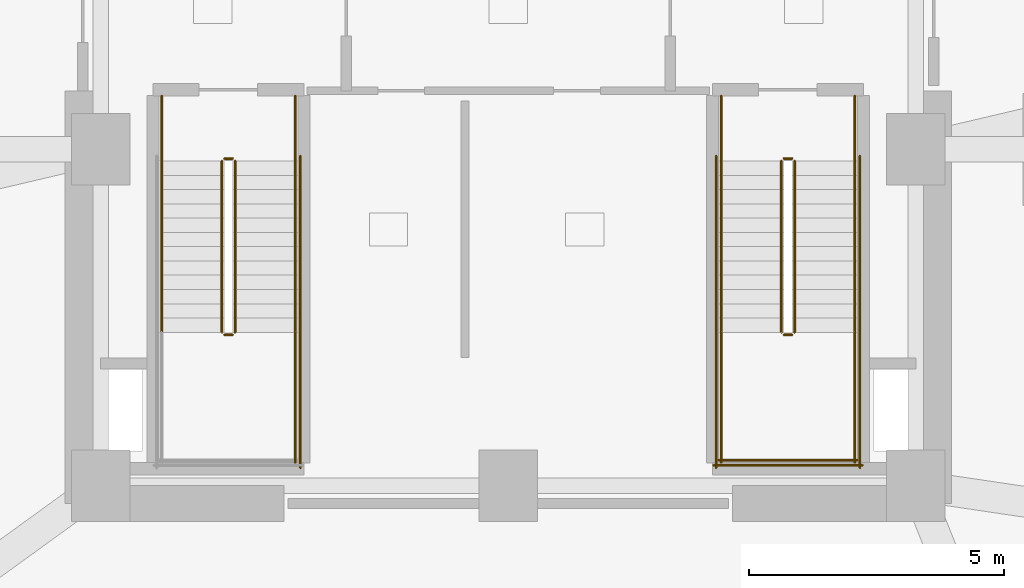
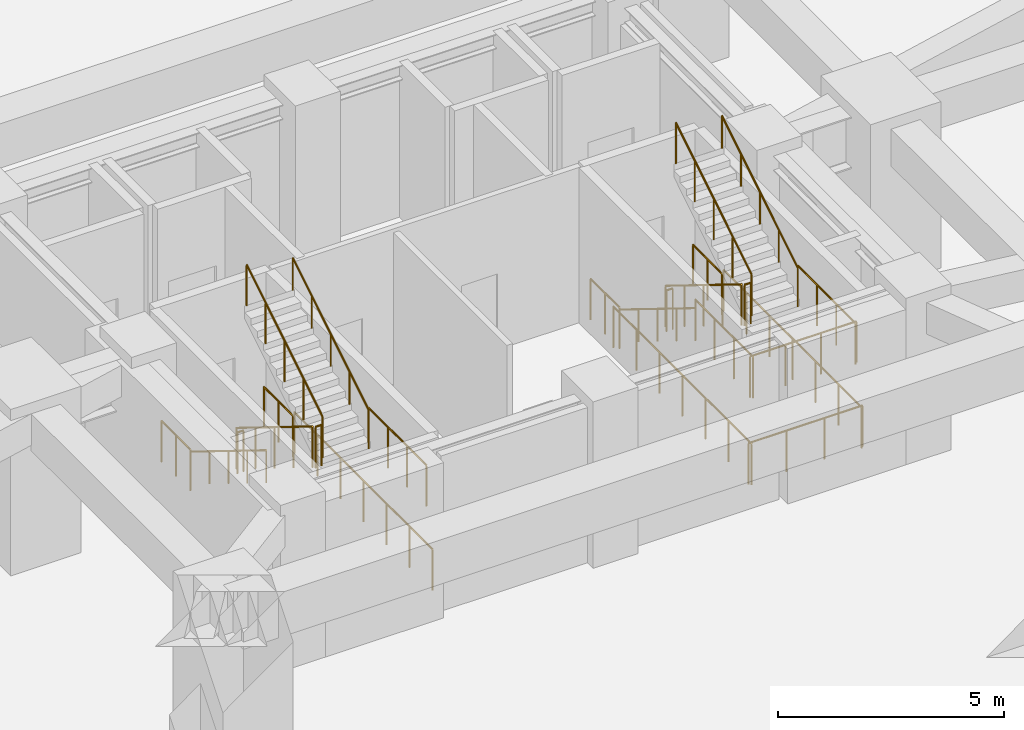
# One storey, part 6 of 9: 24 railings.
"""IFC4 building model written with IfcOpenShell, lengths in metres."""

from ifc_helpers import new_model, si_unit, direction, frame, origin, origin_2d, place, context, subcontext, project, spatial, circle, extrude, material, layer, layer_set, type_object, element, save


model = new_model("IFC4")

# Units and contexts
model_context = context("Model", 3, precision=1e-05, world=origin(), true_north=direction((0.0, 1.0)))
body_context = subcontext(model_context, "Body", "Model", "MODEL_VIEW")
ifc_project = project(units=[si_unit("LENGTHUNIT", "METRE"), si_unit("AREAUNIT", "SQUARE_METRE"), si_unit("VOLUMEUNIT", "CUBIC_METRE"), si_unit("PLANEANGLEUNIT", "RADIAN"), si_unit("MASSUNIT", "GRAM", prefix="KILO")], contexts=[model_context])

# Site, building, storey
site_placement = place(None, origin())
site = spatial("IfcSite", under=ifc_project, at=site_placement, CompositionType="ELEMENT")
building_placement = place(site_placement, origin())
building = spatial("IfcBuilding", under=site, at=building_placement, Name="Ndelora Gate Hotel", CompositionType="ELEMENT")
storey_placement = place(building_placement, frame((0.0, 0.0, -9.0)))
storey = spatial("IfcBuildingStorey", under=building, at=storey_placement, Name="B02", CompositionType="ELEMENT", Elevation=-9.0)

# Railings
ifc_material_1 = material(Name="Painted Galvanized Steel Balustrade", Category="steel")
ifc_layer_1 = layer(ifc_material_1, 0.06005859375)
ifc_layer_set_1 = layer_set([ifc_layer_1], Name="Painted Galvanized Steel Balustrade")
railing_type_1 = type_object("IfcRailingType", Name="RL-STAIR-GD", PredefinedType="GUARDRAIL", material=ifc_layer_set_1)
railing_1_placement = place(storey_placement, frame((-5.6201171875, -0.22998046875, 0.173095703125)))
element("IfcRailing", 1, at=railing_1_placement, inside=storey, type_object=railing_type_1, Name="B02 ST4 stair guard 1", PredefinedType="GUARDRAIL", context=body_context, shape_type="SweptSolid", body=[
    extrude(circle(Radius=0.02392578125, at=origin_2d()), frame((0.0, 0.0, 1.10595703125), z_axis=(0.0, -0.850623216509, 0.525775754039), x_axis=(1.0, 0.0, 0.0)), (0.0, 0.0, 1.0), 3.9501953125),
    extrude(circle(Radius=0.02099609375, at=origin_2d()), origin(), (0.0, 0.0, 1.0), 1.081787109375),
    extrude(circle(Radius=0.02099609375, at=origin_2d()), frame((0.0, -0.840087890625, 0.519287109375)), (0.0, 0.0, 1.0), 1.081787109375),
    extrude(circle(Radius=0.02099609375, at=origin_2d()), frame((0.0, -1.68017578125, 1.03857421875)), (0.0, 0.0, 1.0), 1.081787109375),
    extrude(circle(Radius=0.02099609375, at=origin_2d()), frame((0.0, -2.52001953125, 1.5576171875)), (0.0, 0.0, 1.0), 1.081787109375),
    extrude(circle(Radius=0.02099609375, at=origin_2d()), frame((0.0, -3.360107421875, 2.076904296875)), (0.0, 0.0, 1.0), 1.081787109375),
])
railing_2_placement = place(storey_placement, frame((-5.570068359375, -3.639892578125, 2.25)))
element("IfcRailing", 2, at=railing_2_placement, inside=storey, type_object=railing_type_1, Name="B02 ST4 stair guard 2", PredefinedType="GUARDRAIL", context=body_context, shape_type="SweptSolid", body=[
    extrude(circle(Radius=0.02392578125, at=origin_2d()), frame((0.0, 0.0, 1.10595703125), z_axis=(1.0, 0.0, 0.0), x_axis=(0.0, 1.0, 0.0)), (0.0, 0.0, 1.0), 0.16015625),
    extrude(circle(Radius=0.02099609375, at=origin_2d()), origin(), (0.0, 0.0, 1.0), 1.081787109375),
    extrude(circle(Radius=0.02099609375, at=origin_2d()), frame((0.16015625, 0.0, 0.0)), (0.0, 0.0, 1.0), 1.081787109375),
])
railing_3_placement = place(storey_placement, frame((-4.179931640625, -3.590087890625, 2.25)))
element("IfcRailing", 3, at=railing_3_placement, inside=storey, type_object=railing_type_1, Name="B02 ST4 stair guard 4", PredefinedType="GUARDRAIL", context=body_context, shape_type="SweptSolid", body=[
    extrude(circle(Radius=0.02392578125, at=origin_2d()), frame((0.0, 0.0, 1.10595703125), z_axis=(0.0, -1.0, 0.0), x_axis=(1.0, 0.0, 0.0)), (0.0, 0.0, 1.0), 2.559814453125),
    extrude(circle(Radius=0.02099609375, at=origin_2d()), origin(), (0.0, 0.0, 1.0), 1.081787109375),
    extrude(circle(Radius=0.02099609375, at=origin_2d()), frame((0.0, -0.853271484375, 0.0)), (0.0, 0.0, 1.0), 1.081787109375),
    extrude(circle(Radius=0.02099609375, at=origin_2d()), frame((0.0, -1.70654296875, 0.0)), (0.0, 0.0, 1.0), 1.081787109375),
    extrude(circle(Radius=0.02099609375, at=origin_2d()), frame((0.0, -2.559814453125, 0.0)), (0.0, 0.0, 1.0), 1.081787109375),
])
railing_4_placement = place(storey_placement, frame((-5.360107421875, -3.590087890625, 2.423095703125)))
element("IfcRailing", 4, at=railing_4_placement, inside=storey, type_object=railing_type_1, Name="B02 ST4 stair guard 6", PredefinedType="GUARDRAIL", context=body_context, shape_type="SweptSolid", body=[
    extrude(circle(Radius=0.02392578125, at=origin_2d()), frame((0.0, 0.0, 1.10595703125), z_axis=(0.0, 0.850623216509, 0.525775754039), x_axis=(-1.0, 0.0, 0.0)), (0.0, 0.0, 1.0), 3.9501953125),
    extrude(circle(Radius=0.02099609375, at=origin_2d()), origin(), (0.0, 0.0, 1.0), 1.081787109375),
    extrude(circle(Radius=0.02099609375, at=origin_2d()), frame((0.0, 0.840087890625, 0.519287109375)), (0.0, 0.0, 1.0), 1.081787109375),
    extrude(circle(Radius=0.02099609375, at=origin_2d()), frame((0.0, 1.68017578125, 1.03857421875)), (0.0, 0.0, 1.0), 1.081787109375),
    extrude(circle(Radius=0.02099609375, at=origin_2d()), frame((0.0, 2.52001953125, 1.5576171875)), (0.0, 0.0, 1.0), 1.081787109375),
    extrude(circle(Radius=0.02099609375, at=origin_2d()), frame((0.0, 3.360107421875, 2.076904296875)), (0.0, 0.0, 1.0), 1.081787109375),
])
railing_5_placement = place(storey_placement, frame((-5.570068359375, -0.179931640625, 0.0)))
element("IfcRailing", 5, at=railing_5_placement, inside=storey, type_object=railing_type_1, Name="B02 ST4 stair guard 7", PredefinedType="GUARDRAIL", context=body_context, shape_type="SweptSolid", body=[
    extrude(circle(Radius=0.02392578125, at=origin_2d()), frame((0.0, 0.0, 1.10595703125), z_axis=(1.0, 0.0, 0.0), x_axis=(0.0, 1.0, 0.0)), (0.0, 0.0, 1.0), 0.16015625),
    extrude(circle(Radius=0.02099609375, at=origin_2d()), origin(), (0.0, 0.0, 1.0), 1.081787109375),
    extrude(circle(Radius=0.02099609375, at=origin_2d()), frame((0.16015625, 0.0, 0.0)), (0.0, 0.0, 1.0), 1.081787109375),
])
for number, where, name in (
    (6, (-6.800048828125, 1.050048828125, 0.0), "B02 ST4 stair guard 8"),
    (7, (-4.179931640625, 1.050048828125, 0.0), "B02 ST4 stair guard 9"),
):
    element("IfcRailing", number, at=place(storey_placement, frame(where)), inside=storey, type_object=railing_type_1, Name=name, PredefinedType="GUARDRAIL", context=body_context, shape_type="SweptSolid", body=[
        extrude(circle(Radius=0.02392578125, at=origin_2d()), frame((0.0, 0.0, 1.10595703125), z_axis=(0.0, -1.0, 0.0), x_axis=(1.0, 0.0, 0.0)), (0.0, 0.0, 1.0), 1.280029296875),
        extrude(circle(Radius=0.02099609375, at=origin_2d()), origin(), (0.0, 0.0, 1.0), 1.081787109375),
        extrude(circle(Radius=0.02099609375, at=origin_2d()), frame((0.0, -0.64013671875, 0.0)), (0.0, 0.0, 1.0), 1.081787109375),
        extrude(circle(Radius=0.02099609375, at=origin_2d()), frame((0.0, -1.280029296875, 0.0)), (0.0, 0.0, 1.0), 1.081787109375),
    ])
railing_6_placement = place(storey_placement, frame((-4.080078125, -0.1298828125, 0.0)))
element("IfcRailing", 8, at=railing_6_placement, inside=storey, type_object=railing_type_1, Name="B02 ST4 stair guard 11", PredefinedType="GUARDRAIL", context=body_context, shape_type="SweptSolid", body=[
    extrude(circle(Radius=0.02392578125, at=origin_2d()), frame((0.0, 0.0, 1.10595703125), z_axis=(0.0, -1.0, 0.0), x_axis=(1.0, 0.0, 0.0)), (0.0, 0.0, 1.0), 6.1201171875),
    extrude(circle(Radius=0.02099609375, at=origin_2d()), origin(), (0.0, 0.0, 1.0), 1.081787109375),
    extrude(circle(Radius=0.02099609375, at=origin_2d()), frame((0.0, -1.02001953125, 0.0)), (0.0, 0.0, 1.0), 1.081787109375),
    extrude(circle(Radius=0.02099609375, at=origin_2d()), frame((0.0, -2.0400390625, 0.0)), (0.0, 0.0, 1.0), 1.081787109375),
    extrude(circle(Radius=0.02099609375, at=origin_2d()), frame((0.0, -3.06005859375, 0.0)), (0.0, 0.0, 1.0), 1.081787109375),
    extrude(circle(Radius=0.02099609375, at=origin_2d()), frame((0.0, -4.080078125, 0.0)), (0.0, 0.0, 1.0), 1.081787109375),
    extrude(circle(Radius=0.02099609375, at=origin_2d()), frame((0.0, -5.10009765625, 0.0)), (0.0, 0.0, 1.0), 1.081787109375),
    extrude(circle(Radius=0.02099609375, at=origin_2d()), frame((0.0, -6.1201171875, 0.0)), (0.0, 0.0, 1.0), 1.081787109375),
])
railing_7_placement = place(storey_placement, frame((5.360107421875, -0.22998046875, 0.173095703125)))
element("IfcRailing", 9, at=railing_7_placement, inside=storey, type_object=railing_type_1, Name="B02 ST5 stair guard 1", PredefinedType="GUARDRAIL", context=body_context, shape_type="SweptSolid", body=[
    extrude(circle(Radius=0.02392578125, at=origin_2d()), frame((0.0, 0.0, 1.10595703125), z_axis=(0.0, -0.850623216509, 0.525775754039), x_axis=(1.0, 0.0, 0.0)), (0.0, 0.0, 1.0), 3.9501953125),
    extrude(circle(Radius=0.02099609375, at=origin_2d()), origin(), (0.0, 0.0, 1.0), 1.081787109375),
    extrude(circle(Radius=0.02099609375, at=origin_2d()), frame((0.0, -0.840087890625, 0.519287109375)), (0.0, 0.0, 1.0), 1.081787109375),
    extrude(circle(Radius=0.02099609375, at=origin_2d()), frame((0.0, -1.68017578125, 1.03857421875)), (0.0, 0.0, 1.0), 1.081787109375),
    extrude(circle(Radius=0.02099609375, at=origin_2d()), frame((0.0, -2.52001953125, 1.5576171875)), (0.0, 0.0, 1.0), 1.081787109375),
    extrude(circle(Radius=0.02099609375, at=origin_2d()), frame((0.0, -3.360107421875, 2.076904296875)), (0.0, 0.0, 1.0), 1.081787109375),
])
railing_8_placement = place(storey_placement, frame((5.409912109375, -3.639892578125, 2.25)))
element("IfcRailing", 10, at=railing_8_placement, inside=storey, type_object=railing_type_1, Name="B02 ST5 stair guard 2", PredefinedType="GUARDRAIL", context=body_context, shape_type="SweptSolid", body=[
    extrude(circle(Radius=0.02392578125, at=origin_2d()), frame((0.0, 0.0, 1.10595703125), z_axis=(1.0, 0.0, 0.0), x_axis=(0.0, 1.0, 0.0)), (0.0, 0.0, 1.0), 0.16015625),
    extrude(circle(Radius=0.02099609375, at=origin_2d()), origin(), (0.0, 0.0, 1.0), 1.081787109375),
    extrude(circle(Radius=0.02099609375, at=origin_2d()), frame((0.16015625, 0.0, 0.0)), (0.0, 0.0, 1.0), 1.081787109375),
])
for number, where, name in (
    (11, (4.179931640625, -3.590087890625, 2.25), "B02 ST5 stair guard 3"),
    (12, (6.800048828125, -3.590087890625, 2.25), "B02 ST5 stair guard 4"),
):
    element("IfcRailing", number, at=place(storey_placement, frame(where)), inside=storey, type_object=railing_type_1, Name=name, PredefinedType="GUARDRAIL", context=body_context, shape_type="SweptSolid", body=[
        extrude(circle(Radius=0.02392578125, at=origin_2d()), frame((0.0, 0.0, 1.10595703125), z_axis=(0.0, -1.0, 0.0), x_axis=(1.0, 0.0, 0.0)), (0.0, 0.0, 1.0), 2.559814453125),
        extrude(circle(Radius=0.02099609375, at=origin_2d()), origin(), (0.0, 0.0, 1.0), 1.081787109375),
        extrude(circle(Radius=0.02099609375, at=origin_2d()), frame((0.0, -0.853271484375, 0.0)), (0.0, 0.0, 1.0), 1.081787109375),
        extrude(circle(Radius=0.02099609375, at=origin_2d()), frame((0.0, -1.70654296875, 0.0)), (0.0, 0.0, 1.0), 1.081787109375),
        extrude(circle(Radius=0.02099609375, at=origin_2d()), frame((0.0, -2.559814453125, 0.0)), (0.0, 0.0, 1.0), 1.081787109375),
    ])
railing_9_placement = place(storey_placement, frame((4.1298828125, -6.10009765625, 2.25)))
element("IfcRailing", 13, at=railing_9_placement, inside=storey, type_object=railing_type_1, Name="B02 ST5 stair guard 5", PredefinedType="GUARDRAIL", context=body_context, shape_type="SweptSolid", body=[
    extrude(circle(Radius=0.02392578125, at=origin_2d()), frame((0.0, 0.0, 1.10595703125), z_axis=(1.0, 0.0, 0.0), x_axis=(0.0, 1.0, 0.0)), (0.0, 0.0, 1.0), 2.72021484375),
    extrude(circle(Radius=0.02099609375, at=origin_2d()), origin(), (0.0, 0.0, 1.0), 1.081787109375),
    extrude(circle(Radius=0.02099609375, at=origin_2d()), frame((0.90673828125, 0.0, 0.0)), (0.0, 0.0, 1.0), 1.081787109375),
    extrude(circle(Radius=0.02099609375, at=origin_2d()), frame((1.8134765625, 0.0, 0.0)), (0.0, 0.0, 1.0), 1.081787109375),
    extrude(circle(Radius=0.02099609375, at=origin_2d()), frame((2.72021484375, 0.0, 0.0)), (0.0, 0.0, 1.0), 1.081787109375),
])
railing_10_placement = place(storey_placement, frame((5.6201171875, -3.590087890625, 2.423095703125)))
element("IfcRailing", 14, at=railing_10_placement, inside=storey, type_object=railing_type_1, Name="B02 ST5 stair guard 6", PredefinedType="GUARDRAIL", context=body_context, shape_type="SweptSolid", body=[
    extrude(circle(Radius=0.02392578125, at=origin_2d()), frame((0.0, 0.0, 1.10595703125), z_axis=(0.0, 0.850623216509, 0.525775754039), x_axis=(-1.0, 0.0, 0.0)), (0.0, 0.0, 1.0), 3.9501953125),
    extrude(circle(Radius=0.02099609375, at=origin_2d()), origin(), (0.0, 0.0, 1.0), 1.081787109375),
    extrude(circle(Radius=0.02099609375, at=origin_2d()), frame((0.0, 0.840087890625, 0.519287109375)), (0.0, 0.0, 1.0), 1.081787109375),
    extrude(circle(Radius=0.02099609375, at=origin_2d()), frame((0.0, 1.68017578125, 1.03857421875)), (0.0, 0.0, 1.0), 1.081787109375),
    extrude(circle(Radius=0.02099609375, at=origin_2d()), frame((0.0, 2.52001953125, 1.5576171875)), (0.0, 0.0, 1.0), 1.081787109375),
    extrude(circle(Radius=0.02099609375, at=origin_2d()), frame((0.0, 3.360107421875, 2.076904296875)), (0.0, 0.0, 1.0), 1.081787109375),
])
railing_11_placement = place(storey_placement, frame((5.409912109375, -0.179931640625, 0.0)))
element("IfcRailing", 15, at=railing_11_placement, inside=storey, type_object=railing_type_1, Name="B02 ST5 stair guard 7", PredefinedType="GUARDRAIL", context=body_context, shape_type="SweptSolid", body=[
    extrude(circle(Radius=0.02392578125, at=origin_2d()), frame((0.0, 0.0, 1.10595703125), z_axis=(1.0, 0.0, 0.0), x_axis=(0.0, 1.0, 0.0)), (0.0, 0.0, 1.0), 0.16015625),
    extrude(circle(Radius=0.02099609375, at=origin_2d()), origin(), (0.0, 0.0, 1.0), 1.081787109375),
    extrude(circle(Radius=0.02099609375, at=origin_2d()), frame((0.16015625, 0.0, 0.0)), (0.0, 0.0, 1.0), 1.081787109375),
])
for number, where, name in (
    (16, (4.179931640625, 1.050048828125, 0.0), "B02 ST5 stair guard 8"),
    (17, (6.800048828125, 1.050048828125, 0.0), "B02 ST5 stair guard 9"),
):
    element("IfcRailing", number, at=place(storey_placement, frame(where)), inside=storey, type_object=railing_type_1, Name=name, PredefinedType="GUARDRAIL", context=body_context, shape_type="SweptSolid", body=[
        extrude(circle(Radius=0.02392578125, at=origin_2d()), frame((0.0, 0.0, 1.10595703125), z_axis=(0.0, -1.0, 0.0), x_axis=(1.0, 0.0, 0.0)), (0.0, 0.0, 1.0), 1.280029296875),
        extrude(circle(Radius=0.02099609375, at=origin_2d()), origin(), (0.0, 0.0, 1.0), 1.081787109375),
        extrude(circle(Radius=0.02099609375, at=origin_2d()), frame((0.0, -0.64013671875, 0.0)), (0.0, 0.0, 1.0), 1.081787109375),
        extrude(circle(Radius=0.02099609375, at=origin_2d()), frame((0.0, -1.280029296875, 0.0)), (0.0, 0.0, 1.0), 1.081787109375),
    ])
for number, where, name in (
    (18, (4.080078125, -0.1298828125, 0.0), "B02 ST5 stair guard 10"),
    (19, (6.89990234375, -0.1298828125, 0.0), "B02 ST5 stair guard 11"),
):
    element("IfcRailing", number, at=place(storey_placement, frame(where)), inside=storey, type_object=railing_type_1, Name=name, PredefinedType="GUARDRAIL", context=body_context, shape_type="SweptSolid", body=[
        extrude(circle(Radius=0.02392578125, at=origin_2d()), frame((0.0, 0.0, 1.10595703125), z_axis=(0.0, -1.0, 0.0), x_axis=(1.0, 0.0, 0.0)), (0.0, 0.0, 1.0), 6.1201171875),
        extrude(circle(Radius=0.02099609375, at=origin_2d()), origin(), (0.0, 0.0, 1.0), 1.081787109375),
        extrude(circle(Radius=0.02099609375, at=origin_2d()), frame((0.0, -1.02001953125, 0.0)), (0.0, 0.0, 1.0), 1.081787109375),
        extrude(circle(Radius=0.02099609375, at=origin_2d()), frame((0.0, -2.0400390625, 0.0)), (0.0, 0.0, 1.0), 1.081787109375),
        extrude(circle(Radius=0.02099609375, at=origin_2d()), frame((0.0, -3.06005859375, 0.0)), (0.0, 0.0, 1.0), 1.081787109375),
        extrude(circle(Radius=0.02099609375, at=origin_2d()), frame((0.0, -4.080078125, 0.0)), (0.0, 0.0, 1.0), 1.081787109375),
        extrude(circle(Radius=0.02099609375, at=origin_2d()), frame((0.0, -5.10009765625, 0.0)), (0.0, 0.0, 1.0), 1.081787109375),
        extrude(circle(Radius=0.02099609375, at=origin_2d()), frame((0.0, -6.1201171875, 0.0)), (0.0, 0.0, 1.0), 1.081787109375),
    ])
railing_12_placement = place(storey_placement, frame((4.030029296875, -6.199951171875, 0.0)))
element("IfcRailing", 20, at=railing_12_placement, inside=storey, type_object=railing_type_1, Name="B02 ST5 stair guard 12", PredefinedType="GUARDRAIL", context=body_context, shape_type="SweptSolid", body=[
    extrude(circle(Radius=0.02392578125, at=origin_2d()), frame((0.0, 0.0, 1.10595703125), z_axis=(1.0, 0.0, 0.0), x_axis=(0.0, 1.0, 0.0)), (0.0, 0.0, 1.0), 2.919921875),
    extrude(circle(Radius=0.02099609375, at=origin_2d()), origin(), (0.0, 0.0, 1.0), 1.081787109375),
    extrude(circle(Radius=0.02099609375, at=origin_2d()), frame((0.973388671875, 0.0, 0.0)), (0.0, 0.0, 1.0), 1.081787109375),
    extrude(circle(Radius=0.02099609375, at=origin_2d()), frame((1.946533203125, 0.0, 0.0)), (0.0, 0.0, 1.0), 1.081787109375),
    extrude(circle(Radius=0.02099609375, at=origin_2d()), frame((2.919921875, 0.0, 0.0)), (0.0, 0.0, 1.0), 1.081787109375),
])
ifc_material_2 = material(Name="Brushed Stainless Steel 316", Category="steel")
ifc_layer_2 = layer(ifc_material_2, 0.050048828125)
ifc_layer_set_2 = layer_set([ifc_layer_2], Name="Brushed Stainless Steel 316")
railing_type_2 = type_object("IfcRailingType", Name="RL-STAIR-HR", PredefinedType="HANDRAIL", material=ifc_layer_set_2)
railing_13_placement = place(storey_placement, frame((-6.800048828125, -0.22998046875, 0.173095703125)))
element("IfcRailing", 21, at=railing_13_placement, inside=storey, type_object=railing_type_2, Name="B02 ST4 stair handrail 1", PredefinedType="HANDRAIL", context=body_context, shape_type="SweptSolid", body=[
    extrude(circle(Radius=0.02392578125, at=origin_2d()), frame((0.0, 0.0, 0.8759765625), z_axis=(0.0, -0.850623216509, 0.525775754039), x_axis=(1.0, 0.0, 0.0)), (0.0, 0.0, 1.0), 3.9501953125),
    extrude(circle(Radius=0.02099609375, at=origin_2d()), origin(), (0.0, 0.0, 1.0), 0.851806640625),
    extrude(circle(Radius=0.02099609375, at=origin_2d()), frame((0.0, -0.840087890625, 0.519287109375)), (0.0, 0.0, 1.0), 0.851806640625),
    extrude(circle(Radius=0.02099609375, at=origin_2d()), frame((0.0, -1.68017578125, 1.03857421875)), (0.0, 0.0, 1.0), 0.851806640625),
    extrude(circle(Radius=0.02099609375, at=origin_2d()), frame((0.0, -2.52001953125, 1.5576171875)), (0.0, 0.0, 1.0), 0.851806640625),
    extrude(circle(Radius=0.02099609375, at=origin_2d()), frame((0.0, -3.360107421875, 2.076904296875)), (0.0, 0.0, 1.0), 0.851806640625),
])
railing_14_placement = place(storey_placement, frame((-4.179931640625, -3.590087890625, 2.423095703125)))
element("IfcRailing", 22, at=railing_14_placement, inside=storey, type_object=railing_type_2, Name="B02 ST4 stair handrail 2", PredefinedType="HANDRAIL", context=body_context, shape_type="SweptSolid", body=[
    extrude(circle(Radius=0.02392578125, at=origin_2d()), frame((0.0, 0.0, 0.8759765625), z_axis=(0.0, 0.850623216509, 0.525775754039), x_axis=(-1.0, 0.0, 0.0)), (0.0, 0.0, 1.0), 3.9501953125),
    extrude(circle(Radius=0.02099609375, at=origin_2d()), origin(), (0.0, 0.0, 1.0), 0.851806640625),
    extrude(circle(Radius=0.02099609375, at=origin_2d()), frame((0.0, 0.840087890625, 0.519287109375)), (0.0, 0.0, 1.0), 0.851806640625),
    extrude(circle(Radius=0.02099609375, at=origin_2d()), frame((0.0, 1.68017578125, 1.03857421875)), (0.0, 0.0, 1.0), 0.851806640625),
    extrude(circle(Radius=0.02099609375, at=origin_2d()), frame((0.0, 2.52001953125, 1.5576171875)), (0.0, 0.0, 1.0), 0.851806640625),
    extrude(circle(Radius=0.02099609375, at=origin_2d()), frame((0.0, 3.360107421875, 2.076904296875)), (0.0, 0.0, 1.0), 0.851806640625),
])
railing_15_placement = place(storey_placement, frame((4.179931640625, -0.22998046875, 0.173095703125)))
element("IfcRailing", 23, at=railing_15_placement, inside=storey, type_object=railing_type_2, Name="B02 ST5 stair handrail 1", PredefinedType="HANDRAIL", context=body_context, shape_type="SweptSolid", body=[
    extrude(circle(Radius=0.02392578125, at=origin_2d()), frame((0.0, 0.0, 0.8759765625), z_axis=(0.0, -0.850623216509, 0.525775754039), x_axis=(1.0, 0.0, 0.0)), (0.0, 0.0, 1.0), 3.9501953125),
    extrude(circle(Radius=0.02099609375, at=origin_2d()), origin(), (0.0, 0.0, 1.0), 0.851806640625),
    extrude(circle(Radius=0.02099609375, at=origin_2d()), frame((0.0, -0.840087890625, 0.519287109375)), (0.0, 0.0, 1.0), 0.851806640625),
    extrude(circle(Radius=0.02099609375, at=origin_2d()), frame((0.0, -1.68017578125, 1.03857421875)), (0.0, 0.0, 1.0), 0.851806640625),
    extrude(circle(Radius=0.02099609375, at=origin_2d()), frame((0.0, -2.52001953125, 1.5576171875)), (0.0, 0.0, 1.0), 0.851806640625),
    extrude(circle(Radius=0.02099609375, at=origin_2d()), frame((0.0, -3.360107421875, 2.076904296875)), (0.0, 0.0, 1.0), 0.851806640625),
])
railing_16_placement = place(storey_placement, frame((6.800048828125, -3.590087890625, 2.423095703125)))
element("IfcRailing", 24, at=railing_16_placement, inside=storey, type_object=railing_type_2, Name="B02 ST5 stair handrail 2", PredefinedType="HANDRAIL", context=body_context, shape_type="SweptSolid", body=[
    extrude(circle(Radius=0.02392578125, at=origin_2d()), frame((0.0, 0.0, 0.8759765625), z_axis=(0.0, 0.850623216509, 0.525775754039), x_axis=(-1.0, 0.0, 0.0)), (0.0, 0.0, 1.0), 3.9501953125),
    extrude(circle(Radius=0.02099609375, at=origin_2d()), origin(), (0.0, 0.0, 1.0), 0.851806640625),
    extrude(circle(Radius=0.02099609375, at=origin_2d()), frame((0.0, 0.840087890625, 0.519287109375)), (0.0, 0.0, 1.0), 0.851806640625),
    extrude(circle(Radius=0.02099609375, at=origin_2d()), frame((0.0, 1.68017578125, 1.03857421875)), (0.0, 0.0, 1.0), 0.851806640625),
    extrude(circle(Radius=0.02099609375, at=origin_2d()), frame((0.0, 2.52001953125, 1.5576171875)), (0.0, 0.0, 1.0), 0.851806640625),
    extrude(circle(Radius=0.02099609375, at=origin_2d()), frame((0.0, 3.360107421875, 2.076904296875)), (0.0, 0.0, 1.0), 0.851806640625),
])

save(model, "model.ifc")
